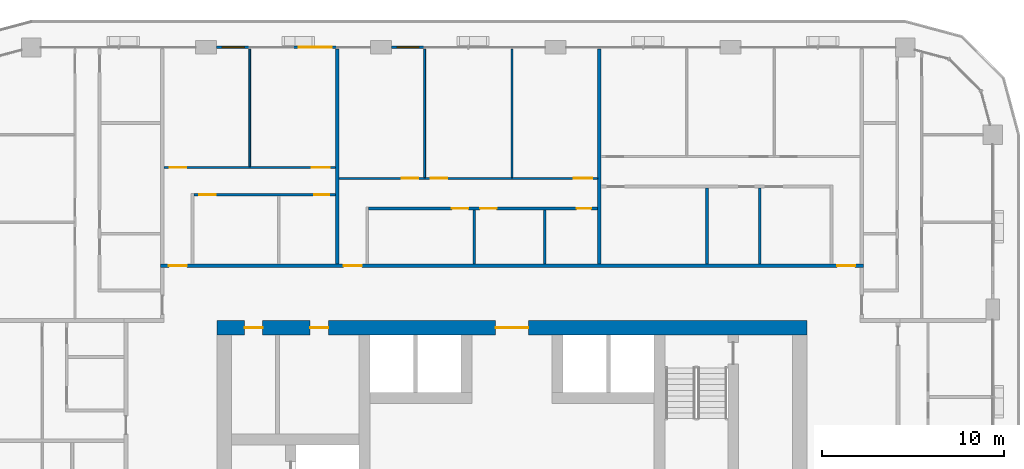
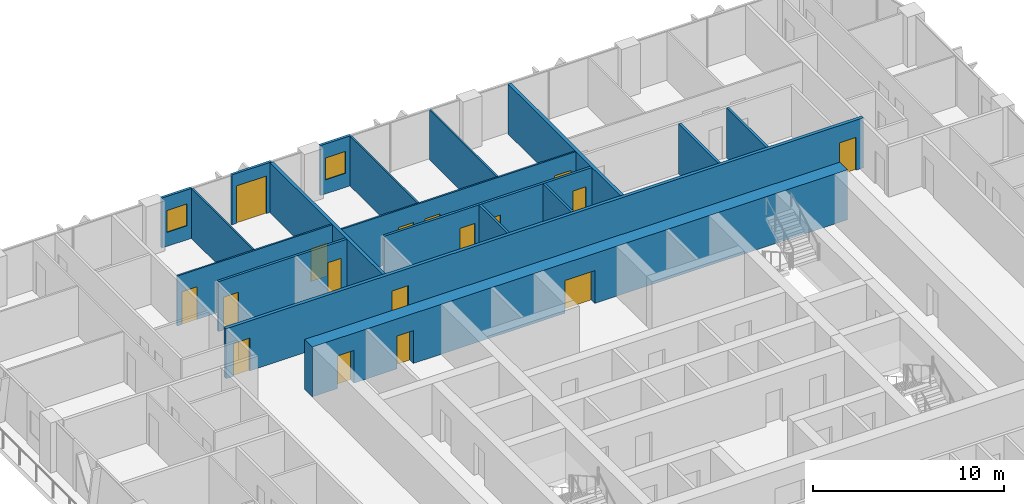
# One storey, part 14 of 23: 18 walls, 17 doors, 2 windows, 19 openings.
"""IFC4 building model written with IfcOpenShell, lengths in metres."""

from ifc_helpers import new_model, si_unit, direction, frame, frame_2d, origin, place, context, subcontext, project, spatial, rectangle, extrude, material, layer, layer_set, type_object, element, fill, save


model = new_model("IFC4")

# Units and contexts
model_context = context("Model", 3, precision=1e-05, world=origin(), true_north=direction((0.0, 1.0)))
body_context = subcontext(model_context, "Body", "Model", "MODEL_VIEW")
ifc_project = project(units=[si_unit("LENGTHUNIT", "METRE"), si_unit("AREAUNIT", "SQUARE_METRE"), si_unit("VOLUMEUNIT", "CUBIC_METRE"), si_unit("PLANEANGLEUNIT", "RADIAN"), si_unit("MASSUNIT", "GRAM", prefix="KILO")], contexts=[model_context])

# Site, building, storey
site_placement = place(None, origin())
site = spatial("IfcSite", under=ifc_project, at=site_placement, CompositionType="ELEMENT")
building_placement = place(site_placement, origin())
building = spatial("IfcBuilding", under=site, at=building_placement, Name="Madar Terraces", CompositionType="ELEMENT")
storey_placement = place(building_placement, frame((0.0, 0.0, 133.10009765625)))
storey = spatial("IfcBuildingStorey", under=building, at=storey_placement, Name="L34", CompositionType="ELEMENT", Elevation=133.10009765625)

# Wall, openings, doors
ifc_material_1 = material(Name="Concrete C70/85", Category="concrete")
ifc_layer_1 = layer(ifc_material_1, 0.800048828125)
ifc_layer_set_1 = layer_set([ifc_layer_1], Name="Concrete C70/85 (CRW3 RC wall 800)")
wall_type_1 = type_object("IfcWallType", Name="CRW3 RC wall 800", PredefinedType="SHEAR", material=ifc_layer_set_1)
wall_1_placement = place(storey_placement, frame((15.0, 37.39990234375, 0.0), z_axis=(0.0, 0.0, 1.0), x_axis=(1.0, 0.0, 0.0)))
wall_1 = element("IfcWall", 1, at=wall_1_placement, inside=storey, type_object=wall_type_1, Name="CORE OUTER WALL", PredefinedType="SHEAR", context=body_context, shape_type="SweptSolid", body=[
    extrude(rectangle(XDim=32.39990234375, YDim=0.800048828125, at=frame_2d((16.199951171875, 0.0))), origin(), (0.0, 0.0, 1.0), 3.199951171875),
])
opening_1_placement = place(wall_1_placement, frame((15.300048828125, 0.0, 0.0)))
opening_1 = element("IfcOpeningElement", 2, at=opening_1_placement, cuts=wall_1, Name="Opening KD1", PredefinedType="OPENING", context=body_context, shape_type="SweptSolid", body=[
    extrude(rectangle(XDim=1.800048828125, YDim=2.10009765625, at=frame_2d((0.89990234375, 1.050048828125))), frame((0.0, 0.409912109375, 0.0), z_axis=(0.0, -1.0, 0.0), x_axis=(1.0, 0.0, 0.0)), (0.0, 0.0, 1.0), 0.820068359375),
])
opening_2_placement = place(wall_1_placement, frame((1.510009765625, 0.0, 0.0)))
opening_2 = element("IfcOpeningElement", 3, at=opening_2_placement, cuts=wall_1, Name="Opening KD2", PredefinedType="OPENING", context=body_context, shape_type="SweptSolid", body=[
    extrude(rectangle(XDim=1.0, YDim=2.10009765625, at=frame_2d((0.5, 1.050048828125))), frame((0.0, 0.409912109375, 0.0), z_axis=(0.0, -1.0, 0.0), x_axis=(1.0, 0.0, 0.0)), (0.0, 0.0, 1.0), 0.820068359375),
])
opening_3_placement = place(wall_1_placement, frame((5.110107421875, 0.0, 0.0)))
opening_3 = element("IfcOpeningElement", 4, at=opening_3_placement, cuts=wall_1, Name="Opening KD2", PredefinedType="OPENING", context=body_context, shape_type="SweptSolid", body=[
    extrude(rectangle(XDim=1.0, YDim=2.10009765625, at=frame_2d((0.5, 1.050048828125))), frame((0.0, 0.409912109375, 0.0), z_axis=(0.0, -1.0, 0.0), x_axis=(1.0, 0.0, 0.0)), (0.0, 0.0, 1.0), 0.820068359375),
])
ifc_material_2 = material(Name="Steel door leaf", Category="steel")
door_type_1 = type_object("IfcDoorType", Name="Lobby door pair 1800 x 2100", OperationType="DOUBLE_DOOR_SINGLE_SWING", PredefinedType="DOOR", material=ifc_material_2)
door_1_placement = place(opening_1_placement, origin())
door_1 = element("IfcDoor", 5, at=door_1_placement, inside=storey, type_object=door_type_1, Name="LIFT LOBBY DOOR", OperationType="DOUBLE_DOOR_SINGLE_SWING", OverallHeight=2.10009765625, OverallWidth=1.800048828125, PredefinedType="DOOR", context=body_context, shape_type="SweptSolid", body=[
    extrude(rectangle(XDim=1.800048828125, YDim=2.10009765625, at=frame_2d((0.89990234375, 1.050048828125))), frame((0.0, 0.02490234375, 0.0), z_axis=(0.0, -1.0, 0.0), x_axis=(1.0, 0.0, 0.0)), (0.0, 0.0, 1.0), 0.050048828125),
])
fill(opening_1, door_1)
ifc_material_3 = material(Name="Steel door leaf", Category="steel")
door_type_2 = type_object("IfcDoorType", Name="Service room door 1000 x 2100", OperationType="NOTDEFINED", PredefinedType="DOOR", material=ifc_material_3)
door_2_placement = place(opening_2_placement, origin())
door_2 = element("IfcDoor", 6, at=door_2_placement, inside=storey, type_object=door_type_2, Name="SERVICE ROOM DOOR", OperationType="SINGLE_SWING_LEFT", OverallHeight=2.10009765625, OverallWidth=1.0, PredefinedType="DOOR", context=body_context, shape_type="SweptSolid", body=[
    extrude(rectangle(XDim=1.0, YDim=2.10009765625, at=frame_2d((0.5, 1.050048828125))), frame((0.0, 0.02490234375, 0.0), z_axis=(0.0, -1.0, 0.0), x_axis=(1.0, 0.0, 0.0)), (0.0, 0.0, 1.0), 0.050048828125),
])
fill(opening_2, door_2)
door_3_placement = place(opening_3_placement, origin())
door_3 = element("IfcDoor", 7, at=door_3_placement, inside=storey, type_object=door_type_2, Name="SERVICE ROOM DOOR", OperationType="SINGLE_SWING_RIGHT", OverallHeight=2.10009765625, OverallWidth=1.0, PredefinedType="DOOR", context=body_context, shape_type="SweptSolid", body=[
    extrude(rectangle(XDim=1.0, YDim=2.10009765625, at=frame_2d((0.5, 1.050048828125))), frame((0.0, 0.02490234375, 0.0), z_axis=(0.0, -1.0, 0.0), x_axis=(1.0, 0.0, 0.0)), (0.0, 0.0, 1.0), 0.050048828125),
])
fill(opening_3, door_3)

# Wall, opening, window
ifc_material_4 = material(Name="Aluminium composite panel, black, over insulated backing", Category="aluminium")
ifc_layer_2 = layer(ifc_material_4, 0.14990234375)
ifc_layer_set_2 = layer_set([ifc_layer_2], Name="Facade bay panel 150")
wall_type_2 = type_object("IfcWallType", Name="Facade bay panel 150", PredefinedType="SOLIDWALL", material=ifc_layer_set_2)
wall_2_placement = place(storey_placement, frame((26.39990234375, 52.800048828125, 0.0), z_axis=(0.0, 0.0, 1.0), x_axis=(-1.0, 0.0, 0.0)))
wall_2 = element("IfcWall", 8, at=wall_2_placement, inside=storey, type_object=wall_type_2, Name="Facade bay panel", PredefinedType="SOLIDWALL", context=body_context, shape_type="SweptSolid", body=[
    extrude(rectangle(XDim=1.824951171875, YDim=0.14990234375, at=frame_2d((0.91259765625, 0.0))), origin(), (0.0, 0.0, 1.0), 3.199951171875),
])
opening_4_placement = place(wall_2_placement, frame((0.3125, 0.0, 0.89990234375)))
opening_4 = element("IfcOpeningElement", 9, at=opening_4_placement, cuts=wall_2, Name="Opening W1", PredefinedType="OPENING", context=body_context, shape_type="SweptSolid", body=[
    extrude(rectangle(XDim=1.199951171875, YDim=1.39990234375, at=frame_2d((0.60009765625, 0.699951171875))), frame((0.0, 0.0849609375, 0.0), z_axis=(0.0, -1.0, 0.0), x_axis=(1.0, 0.0, 0.0)), (0.0, 0.0, 1.0), 0.169921875),
])
ifc_material_5 = material(Name="Glass, clear, with black aluminium frame", Category="aluminium")
window_type = type_object("IfcWindowType", Name="Vent window 1200 x 1400", PartitioningType="SINGLE_PANEL", PredefinedType="WINDOW", material=ifc_material_5)
window_1_placement = place(opening_4_placement, origin())
window_1 = element("IfcWindow", 10, at=window_1_placement, inside=storey, type_object=window_type, Name="Operable vent window", OverallHeight=1.39990234375, OverallWidth=1.199951171875, PartitioningType="SINGLE_PANEL", PredefinedType="WINDOW", context=body_context, shape_type="SweptSolid", body=[
    extrude(rectangle(XDim=1.199951171875, YDim=1.39990234375, at=frame_2d((0.60009765625, 0.699951171875))), frame((0.0, 0.030029296875, 0.0), z_axis=(0.0, -1.0, 0.0), x_axis=(1.0, 0.0, 0.0)), (0.0, 0.0, 1.0), 0.06005859375),
])
fill(opening_4, window_1)

# Wall, opening, door
wall_3_placement = place(storey_placement, frame((21.60009765625, 52.800048828125, 0.0), z_axis=(0.0, 0.0, 1.0), x_axis=(-1.0, 0.0, 0.0)))
wall_3 = element("IfcWall", 11, at=wall_3_placement, inside=storey, type_object=wall_type_2, Name="Facade bay panel", PredefinedType="SOLIDWALL", context=body_context, shape_type="SweptSolid", body=[
    extrude(rectangle(XDim=2.400146484375, YDim=0.14990234375, at=frame_2d((1.2001953125, 0.0))), origin(), (0.0, 0.0, 1.0), 3.199951171875),
])
opening_5_placement = place(wall_3_placement, frame((0.300048828125, 0.0, 0.0)))
opening_5 = element("IfcOpeningElement", 12, at=opening_5_placement, cuts=wall_3, Name="Opening ED1", PredefinedType="OPENING", context=body_context, shape_type="SweptSolid", body=[
    extrude(rectangle(XDim=1.800048828125, YDim=2.39990234375, at=frame_2d((0.89990234375, 1.199951171875))), frame((0.0, 0.0849609375, 0.0), z_axis=(0.0, -1.0, 0.0), x_axis=(1.0, 0.0, 0.0)), (0.0, 0.0, 1.0), 0.169921875),
])
ifc_material_6 = material(Name="Glass, clear, with black aluminium frame", Category="aluminium")
door_type_3 = type_object("IfcDoorType", Name="Balcony and terrace sliding door 1800 x 2400", OperationType="SLIDING_TO_LEFT", PredefinedType="DOOR", material=ifc_material_6)
door_4_placement = place(opening_5_placement, origin())
door_4 = element("IfcDoor", 13, at=door_4_placement, inside=storey, type_object=door_type_3, Name="Balcony door", OperationType="SLIDING_TO_RIGHT", OverallHeight=2.39990234375, OverallWidth=1.800048828125, PredefinedType="DOOR", context=body_context, shape_type="SweptSolid", body=[
    extrude(rectangle(XDim=1.800048828125, YDim=2.39990234375, at=frame_2d((0.89990234375, 1.199951171875))), frame((0.0, 0.02490234375, 0.0), z_axis=(0.0, -1.0, 0.0), x_axis=(1.0, 0.0, 0.0)), (0.0, 0.0, 1.0), 0.050048828125),
])
fill(opening_5, door_4)

# Wall, opening, window
wall_4_placement = place(storey_placement, frame((16.800048828125, 52.800048828125, 0.0), z_axis=(0.0, 0.0, 1.0), x_axis=(-1.0, 0.0, 0.0)))
wall_4 = element("IfcWall", 14, at=wall_4_placement, inside=storey, type_object=wall_type_2, Name="Facade bay panel", PredefinedType="SOLIDWALL", context=body_context, shape_type="SweptSolid", body=[
    extrude(rectangle(XDim=1.824951171875, YDim=0.14990234375, at=frame_2d((0.91259765625, 0.0))), origin(), (0.0, 0.0, 1.0), 3.199951171875),
])
opening_6_placement = place(wall_4_placement, frame((0.3125, 0.0, 0.89990234375)))
opening_6 = element("IfcOpeningElement", 15, at=opening_6_placement, cuts=wall_4, Name="Opening W1", PredefinedType="OPENING", context=body_context, shape_type="SweptSolid", body=[
    extrude(rectangle(XDim=1.199951171875, YDim=1.39990234375, at=frame_2d((0.60009765625, 0.699951171875))), frame((0.0, 0.0849609375, 0.0), z_axis=(0.0, -1.0, 0.0), x_axis=(1.0, 0.0, 0.0)), (0.0, 0.0, 1.0), 0.169921875),
])
window_2_placement = place(opening_6_placement, origin())
window_2 = element("IfcWindow", 16, at=window_2_placement, inside=storey, type_object=window_type, Name="Operable vent window", OverallHeight=1.39990234375, OverallWidth=1.199951171875, PartitioningType="SINGLE_PANEL", PredefinedType="WINDOW", context=body_context, shape_type="SweptSolid", body=[
    extrude(rectangle(XDim=1.199951171875, YDim=1.39990234375, at=frame_2d((0.60009765625, 0.699951171875))), frame((0.0, 0.030029296875, 0.0), z_axis=(0.0, -1.0, 0.0), x_axis=(1.0, 0.0, 0.0)), (0.0, 0.0, 1.0), 0.06005859375),
])
fill(opening_6, window_2)

# Walls
ifc_material_7 = material(Name="Gypsum board on steel studs", Category="steel")
ifc_layer_3 = layer(ifc_material_7, 0.10009765625)
ifc_layer_set_3 = layer_set([ifc_layer_3], Name="Flat partition 100")
wall_type_3 = type_object("IfcWallType", Name="Flat partition 100", PredefinedType="PARTITIONING", material=ifc_layer_set_3)
for number, where, z_axis, x_axis, name in (
    (17, (26.39990234375, 45.64990234375, 0.0), (0.0, 0.0, 1.0), (0.0, 1.0, 0.0), "Flat partition 100"),
    (18, (31.199951171875, 45.64990234375, 0.0), (0.0, 0.0, 1.0), (0.0, 1.0, 0.0), "Flat partition 100"),
):
    element("IfcWall", number, at=place(storey_placement, frame(where, z_axis=z_axis, x_axis=x_axis)), inside=storey, type_object=wall_type_3, Name=name, PredefinedType="PARTITIONING", context=body_context, shape_type="SweptSolid", body=[
        extrude(rectangle(XDim=7.050048828125, YDim=0.10009765625, at=frame_2d((3.52490234375, 0.0))), origin(), (0.0, 0.0, 1.0), 3.199951171875),
    ])

# Wall, openings, doors
wall_5_placement = place(storey_placement, frame((21.699951171875, 45.60009765625, 0.0), z_axis=(0.0, 0.0, 1.0), x_axis=(1.0, 0.0, 0.0)))
wall_5 = element("IfcWall", 19, at=wall_5_placement, inside=storey, type_object=wall_type_3, Name="Flat partition 100", PredefinedType="PARTITIONING", context=body_context, shape_type="SweptSolid", body=[
    extrude(rectangle(XDim=14.199951171875, YDim=0.10009765625, at=frame_2d((7.10009765625, 0.0))), origin(), (0.0, 0.0, 1.0), 3.199951171875),
])
opening_7_placement = place(wall_5_placement, frame((3.449951171875, 0.0, 0.0)))
opening_7 = element("IfcOpeningElement", 20, at=opening_7_placement, cuts=wall_5, Name="Opening D2", PredefinedType="OPENING", context=body_context, shape_type="SweptSolid", body=[
    extrude(rectangle(XDim=0.89990234375, YDim=2.10009765625, at=frame_2d((0.449951171875, 1.050048828125))), frame((0.0, 0.06005859375, 0.0), z_axis=(0.0, -1.0, 0.0), x_axis=(1.0, 0.0, 0.0)), (0.0, 0.0, 1.0), 0.1201171875),
])
opening_8_placement = place(wall_5_placement, frame((5.050048828125, 0.0, 0.0)))
opening_8 = element("IfcOpeningElement", 21, at=opening_8_placement, cuts=wall_5, Name="Opening D2", PredefinedType="OPENING", context=body_context, shape_type="SweptSolid", body=[
    extrude(rectangle(XDim=0.89990234375, YDim=2.10009765625, at=frame_2d((0.449951171875, 1.050048828125))), frame((0.0, 0.06005859375, 0.0), z_axis=(0.0, -1.0, 0.0), x_axis=(1.0, 0.0, 0.0)), (0.0, 0.0, 1.0), 0.1201171875),
])
opening_9_placement = place(wall_5_placement, frame((12.89990234375, 0.0, 0.0)))
opening_9 = element("IfcOpeningElement", 22, at=opening_9_placement, cuts=wall_5, Name="Opening D3", PredefinedType="OPENING", context=body_context, shape_type="SweptSolid", body=[
    extrude(rectangle(XDim=1.0, YDim=2.10009765625, at=frame_2d((0.5, 1.050048828125))), frame((0.0, 0.06005859375, 0.0), z_axis=(0.0, -1.0, 0.0), x_axis=(1.0, 0.0, 0.0)), (0.0, 0.0, 1.0), 0.1201171875),
])
ifc_material_8 = material(Name="Timber door leaf", Category="wood")
door_type_4 = type_object("IfcDoorType", Name="Flat living room door 1000", OperationType="NOTDEFINED", PredefinedType="DOOR", material=ifc_material_8)
door_5_placement = place(opening_9_placement, origin())
door_5 = element("IfcDoor", 23, at=door_5_placement, inside=storey, type_object=door_type_4, Name="Flat living room door 1000", OperationType="SINGLE_SWING_RIGHT", OverallHeight=2.10009765625, OverallWidth=1.0, PredefinedType="DOOR", context=body_context, shape_type="SweptSolid", body=[
    extrude(rectangle(XDim=1.0, YDim=2.10009765625, at=frame_2d((0.5, 1.050048828125))), frame((0.0, 0.02490234375, 0.0), z_axis=(0.0, -1.0, 0.0), x_axis=(1.0, 0.0, 0.0)), (0.0, 0.0, 1.0), 0.050048828125),
])
fill(opening_9, door_5)
ifc_material_9 = material(Name="Timber door leaf", Category="wood")
door_type_5 = type_object("IfcDoorType", Name="Flat room door 900", OperationType="NOTDEFINED", PredefinedType="DOOR", material=ifc_material_9)
door_6_placement = place(opening_7_placement, origin())
door_6 = element("IfcDoor", 24, at=door_6_placement, inside=storey, type_object=door_type_5, Name="Flat room door 900", OperationType="SINGLE_SWING_RIGHT", OverallHeight=2.10009765625, OverallWidth=0.89990234375, PredefinedType="DOOR", context=body_context, shape_type="SweptSolid", body=[
    extrude(rectangle(XDim=0.89990234375, YDim=2.10009765625, at=frame_2d((0.449951171875, 1.050048828125))), frame((0.0, 0.02490234375, 0.0), z_axis=(0.0, -1.0, 0.0), x_axis=(1.0, 0.0, 0.0)), (0.0, 0.0, 1.0), 0.050048828125),
])
fill(opening_7, door_6)
door_7_placement = place(opening_8_placement, origin())
door_7 = element("IfcDoor", 25, at=door_7_placement, inside=storey, type_object=door_type_5, Name="Flat room door 900", OperationType="SINGLE_SWING_LEFT", OverallHeight=2.10009765625, OverallWidth=0.89990234375, PredefinedType="DOOR", context=body_context, shape_type="SweptSolid", body=[
    extrude(rectangle(XDim=0.89990234375, YDim=2.10009765625, at=frame_2d((0.449951171875, 1.050048828125))), frame((0.0, 0.02490234375, 0.0), z_axis=(0.0, -1.0, 0.0), x_axis=(1.0, 0.0, 0.0)), (0.0, 0.0, 1.0), 0.050048828125),
])
fill(opening_8, door_7)

# Wall
wall_6_placement = place(storey_placement, frame((16.800048828125, 46.25, 0.0), z_axis=(0.0, 0.0, 1.0), x_axis=(0.0, 1.0, 0.0)))
element("IfcWall", 26, at=wall_6_placement, inside=storey, type_object=wall_type_3, Name="Flat partition 100", PredefinedType="PARTITIONING", context=body_context, shape_type="SweptSolid", body=[
    extrude(rectangle(XDim=6.449951171875, YDim=0.10009765625, at=frame_2d((3.22509765625, 0.0))), origin(), (0.0, 0.0, 1.0), 3.199951171875),
])

# Wall, openings, doors
wall_7_placement = place(storey_placement, frame((12.10009765625, 46.199951171875, 0.0), z_axis=(0.0, 0.0, 1.0), x_axis=(1.0, 0.0, 0.0)))
wall_7 = element("IfcWall", 27, at=wall_7_placement, inside=storey, type_object=wall_type_3, Name="Flat partition 100", PredefinedType="PARTITIONING", context=body_context, shape_type="SweptSolid", body=[
    extrude(rectangle(XDim=9.39990234375, YDim=0.10009765625, at=frame_2d((4.699951171875, 0.0))), origin(), (0.0, 0.0, 1.0), 3.199951171875),
])
opening_10_placement = place(wall_7_placement, frame((0.300048828125, 0.0, 0.0)))
opening_10 = element("IfcOpeningElement", 28, at=opening_10_placement, cuts=wall_7, Name="Opening D2", PredefinedType="OPENING", context=body_context, shape_type="SweptSolid", body=[
    extrude(rectangle(XDim=0.89990234375, YDim=2.10009765625, at=frame_2d((0.449951171875, 1.050048828125))), frame((0.0, 0.06005859375, 0.0), z_axis=(0.0, -1.0, 0.0), x_axis=(1.0, 0.0, 0.0)), (0.0, 0.0, 1.0), 0.1201171875),
])
opening_11_placement = place(wall_7_placement, frame((8.10009765625, 0.0, 0.0)))
opening_11 = element("IfcOpeningElement", 29, at=opening_11_placement, cuts=wall_7, Name="Opening D3", PredefinedType="OPENING", context=body_context, shape_type="SweptSolid", body=[
    extrude(rectangle(XDim=1.0, YDim=2.10009765625, at=frame_2d((0.5, 1.050048828125))), frame((0.0, 0.06005859375, 0.0), z_axis=(0.0, -1.0, 0.0), x_axis=(1.0, 0.0, 0.0)), (0.0, 0.0, 1.0), 0.1201171875),
])
door_8_placement = place(opening_11_placement, origin())
door_8 = element("IfcDoor", 30, at=door_8_placement, inside=storey, type_object=door_type_4, Name="Flat living room door 1000", OperationType="SINGLE_SWING_RIGHT", OverallHeight=2.10009765625, OverallWidth=1.0, PredefinedType="DOOR", context=body_context, shape_type="SweptSolid", body=[
    extrude(rectangle(XDim=1.0, YDim=2.10009765625, at=frame_2d((0.5, 1.050048828125))), frame((0.0, 0.02490234375, 0.0), z_axis=(0.0, -1.0, 0.0), x_axis=(1.0, 0.0, 0.0)), (0.0, 0.0, 1.0), 0.050048828125),
])
fill(opening_11, door_8)
door_9_placement = place(opening_10_placement, origin())
door_9 = element("IfcDoor", 31, at=door_9_placement, inside=storey, type_object=door_type_5, Name="Flat room door 900", OperationType="SINGLE_SWING_LEFT", OverallHeight=2.10009765625, OverallWidth=0.89990234375, PredefinedType="DOOR", context=body_context, shape_type="SweptSolid", body=[
    extrude(rectangle(XDim=0.89990234375, YDim=2.10009765625, at=frame_2d((0.449951171875, 1.050048828125))), frame((0.0, 0.02490234375, 0.0), z_axis=(0.0, -1.0, 0.0), x_axis=(1.0, 0.0, 0.0)), (0.0, 0.0, 1.0), 0.050048828125),
])
fill(opening_10, door_9)

ifc_material_10 = material(Name="Lightweight blockwork", Category="masonry")
ifc_layer_4 = layer(ifc_material_10, 0.199951171875)
ifc_layer_set_4 = layer_set([ifc_layer_4], Name="Flat party and entrance wall 200")
wall_type_4 = type_object("IfcWallType", Name="Flat party and entrance wall 200", PredefinedType="PARTITIONING", material=ifc_layer_set_4)
wall_8_placement = place(storey_placement, frame((11.89990234375, 40.800048828125, 0.0), z_axis=(0.0, 0.0, 1.0), x_axis=(1.0, 0.0, 0.0)))
wall_8 = element("IfcWall", 32, at=wall_8_placement, inside=storey, type_object=wall_type_4, Name="Flat party and entrance wall 200", PredefinedType="PARTITIONING", context=body_context, shape_type="SweptSolid", body=[
    extrude(rectangle(XDim=38.60009765625, YDim=0.199951171875, at=frame_2d((19.300048828125, 0.0))), origin(), (0.0, 0.0, 1.0), 3.199951171875),
])
opening_12_placement = place(wall_8_placement, frame((37.14990234375, 0.0, 0.0)))
opening_12 = element("IfcOpeningElement", 33, at=opening_12_placement, cuts=wall_8, Name="Opening D1", PredefinedType="OPENING", context=body_context, shape_type="SweptSolid", body=[
    extrude(rectangle(XDim=1.0, YDim=2.10009765625, at=frame_2d((0.5, 1.050048828125))), frame((0.0, 0.10986328125, 0.0), z_axis=(0.0, -1.0, 0.0), x_axis=(1.0, 0.0, 0.0)), (0.0, 0.0, 1.0), 0.219970703125),
])
opening_13_placement = place(wall_8_placement, frame((10.050048828125, 0.0, 0.0)))
opening_13 = element("IfcOpeningElement", 34, at=opening_13_placement, cuts=wall_8, Name="Opening D1", PredefinedType="OPENING", context=body_context, shape_type="SweptSolid", body=[
    extrude(rectangle(XDim=1.0, YDim=2.10009765625, at=frame_2d((0.5, 1.050048828125))), frame((0.0, 0.10986328125, 0.0), z_axis=(0.0, -1.0, 0.0), x_axis=(1.0, 0.0, 0.0)), (0.0, 0.0, 1.0), 0.219970703125),
])
opening_14_placement = place(wall_8_placement, frame((0.449951171875, 0.0, 0.0)))
opening_14 = element("IfcOpeningElement", 35, at=opening_14_placement, cuts=wall_8, Name="Opening D1", PredefinedType="OPENING", context=body_context, shape_type="SweptSolid", body=[
    extrude(rectangle(XDim=1.0, YDim=2.10009765625, at=frame_2d((0.5, 1.050048828125))), frame((0.0, 0.10986328125, 0.0), z_axis=(0.0, -1.0, 0.0), x_axis=(1.0, 0.0, 0.0)), (0.0, 0.0, 1.0), 0.219970703125),
])
ifc_material_11 = material(Name="Timber fire door leaf", Category="wood")
door_type_6 = type_object("IfcDoorType", Name="Flat entrance door 1000 FD30S", OperationType="NOTDEFINED", PredefinedType="DOOR", material=ifc_material_11)
door_10_placement = place(opening_12_placement, origin())
door_10 = element("IfcDoor", 36, at=door_10_placement, inside=storey, type_object=door_type_6, Name="Flat entrance door 1000 FD30S", OperationType="SINGLE_SWING_RIGHT", OverallHeight=2.10009765625, OverallWidth=1.0, PredefinedType="DOOR", context=body_context, shape_type="SweptSolid", body=[
    extrude(rectangle(XDim=1.0, YDim=2.10009765625, at=frame_2d((0.5, 1.050048828125))), frame((0.0, 0.02490234375, 0.0), z_axis=(0.0, -1.0, 0.0), x_axis=(1.0, 0.0, 0.0)), (0.0, 0.0, 1.0), 0.050048828125),
])
fill(opening_12, door_10)
door_11_placement = place(opening_13_placement, origin())
door_11 = element("IfcDoor", 37, at=door_11_placement, inside=storey, type_object=door_type_6, Name="Flat entrance door 1000 FD30S", OperationType="SINGLE_SWING_LEFT", OverallHeight=2.10009765625, OverallWidth=1.0, PredefinedType="DOOR", context=body_context, shape_type="SweptSolid", body=[
    extrude(rectangle(XDim=1.0, YDim=2.10009765625, at=frame_2d((0.5, 1.050048828125))), frame((0.0, 0.02490234375, 0.0), z_axis=(0.0, -1.0, 0.0), x_axis=(1.0, 0.0, 0.0)), (0.0, 0.0, 1.0), 0.050048828125),
])
fill(opening_13, door_11)
door_12_placement = place(opening_14_placement, origin())
door_12 = element("IfcDoor", 38, at=door_12_placement, inside=storey, type_object=door_type_6, Name="Flat entrance door 1000 FD30S", OperationType="SINGLE_SWING_LEFT", OverallHeight=2.10009765625, OverallWidth=1.0, PredefinedType="DOOR", context=body_context, shape_type="SweptSolid", body=[
    extrude(rectangle(XDim=1.0, YDim=2.10009765625, at=frame_2d((0.5, 1.050048828125))), frame((0.0, 0.02490234375, 0.0), z_axis=(0.0, -1.0, 0.0), x_axis=(1.0, 0.0, 0.0)), (0.0, 0.0, 1.0), 0.050048828125),
])
fill(opening_14, door_12)

# Walls
for number, where, z_axis, x_axis, name in (
    (39, (36.0, 52.699951171875, 0.0), (0.0, 0.0, 1.0), (0.0, -1.0, 0.0), "Flat party and entrance wall 200"),
    (40, (21.60009765625, 52.699951171875, 0.0), (0.0, 0.0, 1.0), (0.0, -1.0, 0.0), "Flat party and entrance wall 200"),
):
    element("IfcWall", number, at=place(storey_placement, frame(where, z_axis=z_axis, x_axis=x_axis)), inside=storey, type_object=wall_type_4, Name=name, PredefinedType="PARTITIONING", context=body_context, shape_type="SweptSolid", body=[
        extrude(rectangle(XDim=11.800048828125, YDim=0.199951171875, at=frame_2d((5.89990234375, 0.0))), origin(), (0.0, 0.0, 1.0), 3.199951171875),
    ])
ifc_material_12 = material(Name="Lightweight blockwork", Category="masonry")
ifc_layer_5 = layer(ifc_material_12, 0.14990234375)
ifc_layer_set_5 = layer_set([ifc_layer_5], Name="Flat wet-room partition 150")
wall_type_5 = type_object("IfcWallType", Name="Flat wet-room partition 150", PredefinedType="PARTITIONING", material=ifc_layer_set_5)
for number, where, z_axis, x_axis, name in (
    (41, (44.805908203125, 40.89990234375, 0.0), (0.0, 0.0, 1.0), (0.0, 1.0, 0.0), "Flat wet-room partition 150"),
    (42, (41.90380859375, 40.89990234375, 0.0), (0.0, 0.0, 1.0), (0.0, 1.0, 0.0), "Flat wet-room partition 150"),
):
    element("IfcWall", number, at=place(storey_placement, frame(where, z_axis=z_axis, x_axis=x_axis)), inside=storey, type_object=wall_type_5, Name=name, PredefinedType="PARTITIONING", context=body_context, shape_type="SweptSolid", body=[
        extrude(rectangle(XDim=4.175048828125, YDim=0.14990234375, at=frame_2d((2.08740234375, 0.0))), origin(), (0.0, 0.0, 1.0), 3.199951171875),
    ])
for number, where, z_axis, x_axis, name in (
    (43, (29.12890625, 40.89990234375, 0.0), (0.0, 0.0, 1.0), (0.0, 1.0, 0.0), "Flat wet-room partition 150"),
    (44, (32.998046875, 40.89990234375, 0.0), (0.0, 0.0, 1.0), (0.0, 1.0, 0.0), "Flat wet-room partition 150"),
):
    element("IfcWall", number, at=place(storey_placement, frame(where, z_axis=z_axis, x_axis=x_axis)), inside=storey, type_object=wall_type_5, Name=name, PredefinedType="PARTITIONING", context=body_context, shape_type="SweptSolid", body=[
        extrude(rectangle(XDim=2.97509765625, YDim=0.14990234375, at=frame_2d((1.487548828125, 0.0))), origin(), (0.0, 0.0, 1.0), 3.199951171875),
    ])

# Wall, openings, doors
wall_9_placement = place(storey_placement, frame((35.89990234375, 43.949951171875, 0.0), z_axis=(0.0, 0.0, 1.0), x_axis=(-1.0, 0.0, 0.0)))
wall_9 = element("IfcWall", 45, at=wall_9_placement, inside=storey, type_object=wall_type_5, Name="Flat wet-room partition 150", PredefinedType="PARTITIONING", context=body_context, shape_type="SweptSolid", body=[
    extrude(rectangle(XDim=12.574951171875, YDim=0.14990234375, at=frame_2d((6.28759765625, 0.0))), origin(), (0.0, 0.0, 1.0), 3.199951171875),
])
opening_15_placement = place(wall_9_placement, frame((7.09619140625, 0.0, 0.0)))
opening_15 = element("IfcOpeningElement", 46, at=opening_15_placement, cuts=wall_9, Name="Opening D2", PredefinedType="OPENING", context=body_context, shape_type="SweptSolid", body=[
    extrude(rectangle(XDim=0.89990234375, YDim=2.10009765625, at=frame_2d((0.449951171875, 1.050048828125))), frame((0.0, 0.0849609375, 0.0), z_axis=(0.0, -1.0, 0.0), x_axis=(1.0, 0.0, 0.0)), (0.0, 0.0, 1.0), 0.169921875),
])
opening_16_placement = place(wall_9_placement, frame((5.546142578125, 0.0, 0.0)))
opening_16 = element("IfcOpeningElement", 47, at=opening_16_placement, cuts=wall_9, Name="Opening D5", PredefinedType="OPENING", context=body_context, shape_type="SweptSolid", body=[
    extrude(rectangle(XDim=0.89990234375, YDim=2.10009765625, at=frame_2d((0.449951171875, 1.050048828125))), frame((0.0, 0.0849609375, 0.0), z_axis=(0.0, -1.0, 0.0), x_axis=(1.0, 0.0, 0.0)), (0.0, 0.0, 1.0), 0.169921875),
])
opening_17_placement = place(wall_9_placement, frame((0.35009765625, 0.0, 0.0)))
opening_17 = element("IfcOpeningElement", 48, at=opening_17_placement, cuts=wall_9, Name="Opening D4", PredefinedType="OPENING", context=body_context, shape_type="SweptSolid", body=[
    extrude(rectangle(XDim=0.800048828125, YDim=2.10009765625, at=frame_2d((0.39990234375, 1.050048828125))), frame((0.0, 0.0849609375, 0.0), z_axis=(0.0, -1.0, 0.0), x_axis=(1.0, 0.0, 0.0)), (0.0, 0.0, 1.0), 0.169921875),
])
ifc_material_13 = material(Name="Timber door leaf", Category="wood")
door_type_7 = type_object("IfcDoorType", Name="Flat accessible bathroom door 900", OperationType="NOTDEFINED", PredefinedType="DOOR", material=ifc_material_13)
door_13_placement = place(opening_16_placement, origin())
door_13 = element("IfcDoor", 49, at=door_13_placement, inside=storey, type_object=door_type_7, Name="Flat accessible bathroom door 900", OperationType="SINGLE_SWING_RIGHT", OverallHeight=2.10009765625, OverallWidth=0.89990234375, PredefinedType="DOOR", context=body_context, shape_type="SweptSolid", body=[
    extrude(rectangle(XDim=0.89990234375, YDim=2.10009765625, at=frame_2d((0.449951171875, 1.050048828125))), frame((0.0, 0.02490234375, 0.0), z_axis=(0.0, -1.0, 0.0), x_axis=(1.0, 0.0, 0.0)), (0.0, 0.0, 1.0), 0.050048828125),
])
fill(opening_16, door_13)
ifc_material_14 = material(Name="Timber door leaf", Category="wood")
door_type_8 = type_object("IfcDoorType", Name="Flat bathroom door 800", OperationType="NOTDEFINED", PredefinedType="DOOR", material=ifc_material_14)
door_14_placement = place(opening_17_placement, origin())
door_14 = element("IfcDoor", 50, at=door_14_placement, inside=storey, type_object=door_type_8, Name="Flat bathroom door 800", OperationType="SINGLE_SWING_LEFT", OverallHeight=2.10009765625, OverallWidth=0.800048828125, PredefinedType="DOOR", context=body_context, shape_type="SweptSolid", body=[
    extrude(rectangle(XDim=0.800048828125, YDim=2.10009765625, at=frame_2d((0.39990234375, 1.050048828125))), frame((0.0, 0.02490234375, 0.0), z_axis=(0.0, -1.0, 0.0), x_axis=(1.0, 0.0, 0.0)), (0.0, 0.0, 1.0), 0.050048828125),
])
fill(opening_17, door_14)
door_15_placement = place(opening_15_placement, origin())
door_15 = element("IfcDoor", 51, at=door_15_placement, inside=storey, type_object=door_type_5, Name="Flat room door 900", OperationType="SINGLE_SWING_LEFT", OverallHeight=2.10009765625, OverallWidth=0.89990234375, PredefinedType="DOOR", context=body_context, shape_type="SweptSolid", body=[
    extrude(rectangle(XDim=0.89990234375, YDim=2.10009765625, at=frame_2d((0.449951171875, 1.050048828125))), frame((0.0, 0.02490234375, 0.0), z_axis=(0.0, -1.0, 0.0), x_axis=(1.0, 0.0, 0.0)), (0.0, 0.0, 1.0), 0.050048828125),
])
fill(opening_15, door_15)

wall_10_placement = place(storey_placement, frame((21.5, 44.699951171875, 0.0), z_axis=(0.0, 0.0, 1.0), x_axis=(-1.0, 0.0, 0.0)))
wall_10 = element("IfcWall", 52, at=wall_10_placement, inside=storey, type_object=wall_type_5, Name="Flat wet-room partition 150", PredefinedType="PARTITIONING", context=body_context, shape_type="SweptSolid", body=[
    extrude(rectangle(XDim=7.77490234375, YDim=0.14990234375, at=frame_2d((3.887451171875, 0.0))), origin(), (0.0, 0.0, 1.0), 3.199951171875),
])
opening_18_placement = place(wall_10_placement, frame((6.574951171875, 0.0, 0.0)))
opening_18 = element("IfcOpeningElement", 53, at=opening_18_placement, cuts=wall_10, Name="Opening D2", PredefinedType="OPENING", context=body_context, shape_type="SweptSolid", body=[
    extrude(rectangle(XDim=0.89990234375, YDim=2.10009765625, at=frame_2d((0.449951171875, 1.050048828125))), frame((0.0, 0.0849609375, 0.0), z_axis=(0.0, -1.0, 0.0), x_axis=(1.0, 0.0, 0.0)), (0.0, 0.0, 1.0), 0.169921875),
])
opening_19_placement = place(wall_10_placement, frame((0.35009765625, 0.0, 0.0)))
opening_19 = element("IfcOpeningElement", 54, at=opening_19_placement, cuts=wall_10, Name="Opening D4", PredefinedType="OPENING", context=body_context, shape_type="SweptSolid", body=[
    extrude(rectangle(XDim=0.800048828125, YDim=2.10009765625, at=frame_2d((0.39990234375, 1.050048828125))), frame((0.0, 0.0849609375, 0.0), z_axis=(0.0, -1.0, 0.0), x_axis=(1.0, 0.0, 0.0)), (0.0, 0.0, 1.0), 0.169921875),
])
door_16_placement = place(opening_19_placement, origin())
door_16 = element("IfcDoor", 55, at=door_16_placement, inside=storey, type_object=door_type_8, Name="Flat bathroom door 800", OperationType="SINGLE_SWING_LEFT", OverallHeight=2.10009765625, OverallWidth=0.800048828125, PredefinedType="DOOR", context=body_context, shape_type="SweptSolid", body=[
    extrude(rectangle(XDim=0.800048828125, YDim=2.10009765625, at=frame_2d((0.39990234375, 1.050048828125))), frame((0.0, 0.02490234375, 0.0), z_axis=(0.0, -1.0, 0.0), x_axis=(1.0, 0.0, 0.0)), (0.0, 0.0, 1.0), 0.050048828125),
])
fill(opening_19, door_16)
door_17_placement = place(opening_18_placement, origin())
door_17 = element("IfcDoor", 56, at=door_17_placement, inside=storey, type_object=door_type_5, Name="Flat room door 900", OperationType="SINGLE_SWING_RIGHT", OverallHeight=2.10009765625, OverallWidth=0.89990234375, PredefinedType="DOOR", context=body_context, shape_type="SweptSolid", body=[
    extrude(rectangle(XDim=0.89990234375, YDim=2.10009765625, at=frame_2d((0.449951171875, 1.050048828125))), frame((0.0, 0.02490234375, 0.0), z_axis=(0.0, -1.0, 0.0), x_axis=(1.0, 0.0, 0.0)), (0.0, 0.0, 1.0), 0.050048828125),
])
fill(opening_18, door_17)

save(model, "model.ifc")
